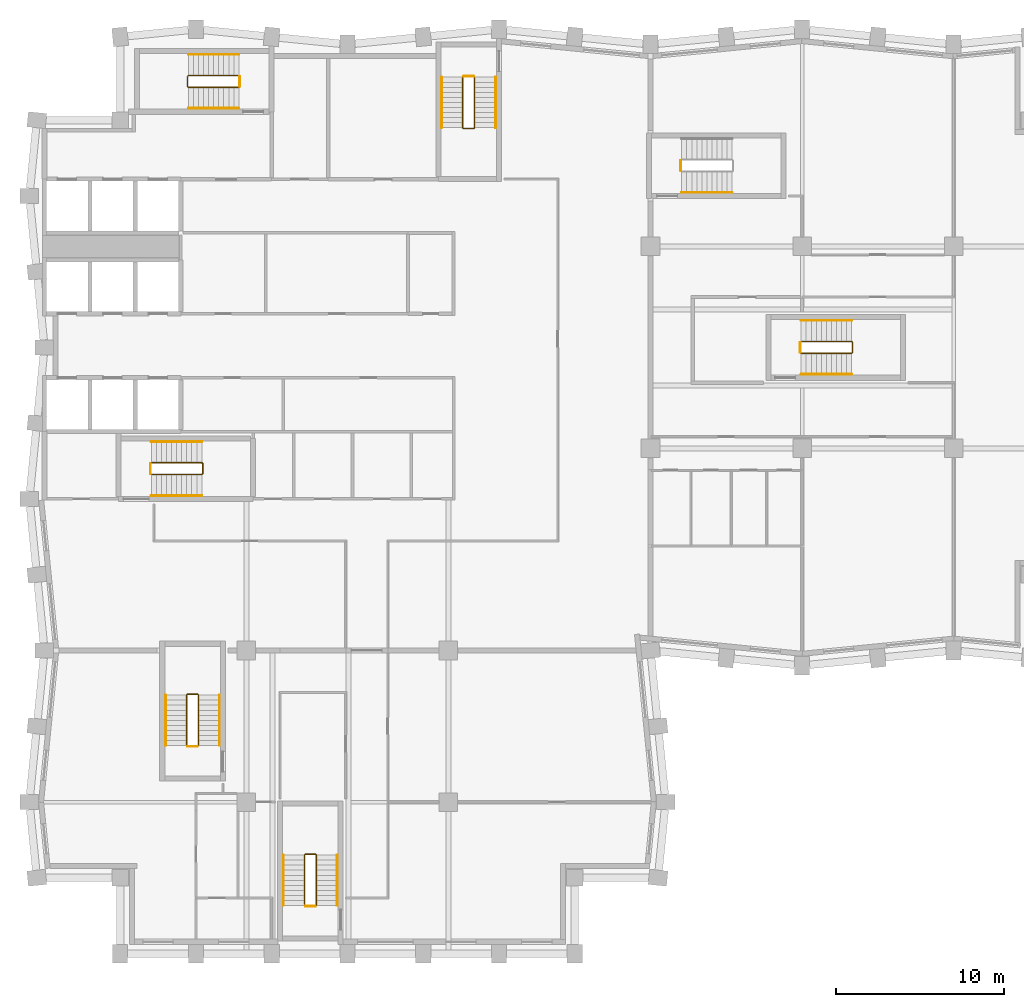
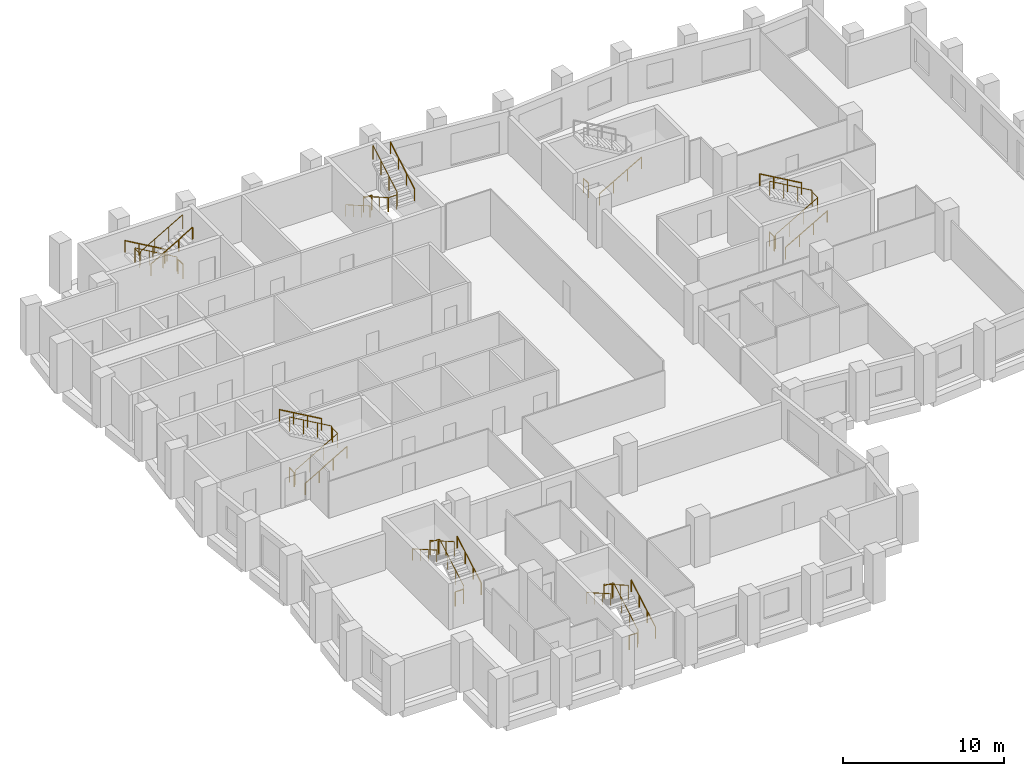
# One storey, part 9 of 10: 26 railings.
"""IFC4 building model written with IfcOpenShell, lengths in metres."""

import ifcopenshell
import ifcopenshell.guid

model = None  # the IFC model being written
_history = None  # IfcOwnerHistory: only IFC2X3 demands one
_inside = {}  # id of a spatial element -> (the spatial element, [elements in it])
_under = {}  # id of a project, library or spatial element -> (it, [spatial elements below it])
_declared = {}  # id of a project -> (the project, [libraries it declares])
_typed = {}  # id of a type object -> (the type object, [elements of that type])
_made_of = {}  # id of a material, layer set ... -> (it, [elements and type objects made of it])


def new_model(schema):
    """Start an empty IFC model of exactly this schema.

    Asked for "IFC4X3", IfcOpenShell would pick the latest addendum, in which some entities
    have other attributes; the version numbers below select the first issue.
    IFC2X3 requires an IfcOwnerHistory on every rooted entity: one is made here for all.
    """
    global model, _history
    if schema == "IFC4X3":
        model = ifcopenshell.file(schema_version=(4, 3, 0, 0))
    else:
        model = ifcopenshell.file(schema=schema)
    _inside.clear()
    _under.clear()
    _declared.clear()
    _typed.clear()
    _made_of.clear()
    _history = None
    if model.schema == "IFC2X3":
        org = make("IfcOrganization", Name="unknown")
        user = make(
            "IfcPersonAndOrganization",
            ThePerson=make("IfcPerson", FamilyName="unknown"),
            TheOrganization=org,
        )
        app = make(
            "IfcApplication",
            ApplicationDeveloper=org,
            Version="unknown",
            ApplicationFullName="unknown",
            ApplicationIdentifier="unknown",
        )
        _history = make(
            "IfcOwnerHistory",
            OwningUser=user,
            OwningApplication=app,
            ChangeAction="ADDED",
            CreationDate=0,
        )
    return model


def make(cls, **values):
    """One entity of the class cls with the attributes given. An attribute that is None is left unset."""
    return model.create_entity(
        cls, **{name: value for name, value in values.items() if value is not None}
    )


def rooted(cls, **values):
    """An entity with a GlobalId (a new one), such as an element, a storey or a relation."""
    return make(cls, GlobalId=ifcopenshell.guid.new(), OwnerHistory=_history, **values)


def si_unit(unit_type, name, prefix=None):
    """IfcSIUnit, for example si_unit("LENGTHUNIT", "METRE", prefix="MILLI")."""
    return make("IfcSIUnit", UnitType=unit_type, Prefix=prefix, Name=name)


def assignment(units):
    """IfcUnitAssignment: the units of a project."""
    return None if units is None else make("IfcUnitAssignment", Units=units)


def point(xyz):
    """IfcCartesianPoint."""
    return None if xyz is None else make("IfcCartesianPoint", Coordinates=xyz)


def direction(xyz):
    """IfcDirection."""
    return None if xyz is None else make("IfcDirection", DirectionRatios=xyz)


def frame(location, z_axis=None, x_axis=None):
    """IfcAxis2Placement3D, a coordinate frame: its origin and axes. An axis left out is left unset."""
    return make(
        "IfcAxis2Placement3D",
        Location=point(location),
        Axis=direction(z_axis),
        RefDirection=direction(x_axis),
    )


def frame_2d(location, x_axis=None):
    """IfcAxis2Placement2D, a coordinate frame in the plane: its origin and x axis."""
    return make(
        "IfcAxis2Placement2D", Location=point(location), RefDirection=direction(x_axis)
    )


def origin():
    """The frame at (0, 0, 0) with its axes left unset."""
    return frame((0.0, 0.0, 0.0))


def origin_2d():
    """The frame at (0, 0) in the plane with its x axis left unset."""
    return frame_2d((0.0, 0.0))


def place(relative_to, where):
    """IfcLocalPlacement: puts the frame where relative to a parent placement (None: the world)."""
    return make(
        "IfcLocalPlacement", PlacementRelTo=relative_to, RelativePlacement=where
    )


def context(
    kind, dimensions, precision=None, world=None, true_north=None, identifier=None
):
    """IfcGeometricRepresentationContext, for example the 3D "Model" context."""
    return make(
        "IfcGeometricRepresentationContext",
        ContextIdentifier=identifier,
        ContextType=kind,
        CoordinateSpaceDimension=dimensions,
        Precision=precision,
        WorldCoordinateSystem=world,
        TrueNorth=true_north,
    )


def subcontext(parent, identifier, kind, view, scale=None):
    """IfcGeometricRepresentationSubContext, for example "Body" below "Model"."""
    return make(
        "IfcGeometricRepresentationSubContext",
        ContextIdentifier=identifier,
        ContextType=kind,
        ParentContext=parent,
        TargetScale=scale,
        TargetView=view,
    )


def project(units=None, contexts=None):
    """IfcProject with its units and contexts."""
    return rooted(
        "IfcProject",
        Name="project",
        RepresentationContexts=contexts,
        UnitsInContext=assignment(units),
    )


def spatial(cls, under=None, at=None, **own):
    """A site, building, storey or space (cls), placed at a placement, below another one or the project."""
    s = rooted(cls, ObjectPlacement=at, **own)
    if under is not None:
        _under.setdefault(under.id(), (under, []))[1].append(s)
    return s


def profile(cls, at=None, kind="AREA", **sizes):
    """A parametric profile (cls). Its sizes go by their IFC names, for example OverallWidth=200.0."""
    return make(cls, ProfileType=kind, Position=at, **sizes)


def circle(**sizes):
    """IfcCircleProfileDef."""
    return profile("IfcCircleProfileDef", **sizes)


def extrude(swept, where, along, depth):
    """IfcExtrudedAreaSolid: the profile swept, set in the frame where, extruded along a direction by depth."""
    return make(
        "IfcExtrudedAreaSolid",
        SweptArea=swept,
        Position=where,
        ExtrudedDirection=direction(along),
        Depth=depth,
    )


def shape(context_of_items, identifier, shape_type, items):
    """IfcShapeRepresentation: the items that make up one representation, for example the "Body"."""
    return make(
        "IfcShapeRepresentation",
        ContextOfItems=context_of_items,
        RepresentationIdentifier=identifier,
        RepresentationType=shape_type,
        Items=items,
    )


def material(Name=None, Category=None):
    """IfcMaterial."""
    return make("IfcMaterial", Name=Name, Category=Category)


def made_of(thing, what):
    """Note that an element or type object is made of a material, layer set ...; save() writes the relation."""
    if what is not None:
        _made_of.setdefault(what.id(), (what, []))[1].append(thing)
    return thing


def type_object(cls, material=None, **own):
    """A type object (cls), such as IfcWallType, which elements share."""
    return made_of(rooted(cls, **own), material)


def element(
    cls,
    number,
    at=None,
    inside=None,
    cuts=None,
    type_object=None,
    material=None,
    context=None,
    identifier="Body",
    shape_type=None,
    held_by="IfcProductDefinitionShape",
    body=None,
    shapes=None,
    **own,
):
    """One element of the class cls, such as IfcWall. Its Tag is "e" and its number.

    at: its placement. inside: the storey or other place that contains it. cuts: it is an
    opening in that element (IfcRelVoidsElement). A single representation is given by context,
    identifier, shape_type and body (its items); several are given by shapes. held_by: the class
    of the entity that holds the representations. save() writes the other relations.
    """
    e = rooted(cls, Tag="e%d" % number, ObjectPlacement=at, **own)
    if body is not None:
        shapes = [shape(context, identifier, shape_type, body)]
    if shapes is not None:
        e.Representation = make(held_by, Representations=shapes)
    if inside is not None:
        _inside.setdefault(inside.id(), (inside, []))[1].append(e)
    if cuts is not None:
        rooted(
            "IfcRelVoidsElement", RelatingBuildingElement=cuts, RelatedOpeningElement=e
        )
    if type_object is not None:
        _typed.setdefault(type_object.id(), (type_object, []))[1].append(e)
    return made_of(e, material)


def aggregate(whole, parts):
    """IfcRelAggregates: a whole, such as a stair, and the parts it consists of."""
    return rooted("IfcRelAggregates", RelatingObject=whole, RelatedObjects=parts)


def save(model, path):
    """Write the relations noted so far, then the file.

    IfcRelAggregates (storeys below a building ...), IfcRelContainedInSpatialStructure (elements
    in a storey), IfcRelDefinesByType, IfcRelAssociatesMaterial and IfcRelDeclares: one each for
    every whole, place, type object, material and project.
    """
    for whole, parts in _under.values():
        aggregate(whole, parts)
    for where, things in _inside.values():
        rooted(
            "IfcRelContainedInSpatialStructure",
            RelatedElements=things,
            RelatingStructure=where,
        )
    for kind, things in _typed.values():
        rooted("IfcRelDefinesByType", RelatedObjects=things, RelatingType=kind)
    for what, things in _made_of.values():
        rooted("IfcRelAssociatesMaterial", RelatedObjects=things, RelatingMaterial=what)
    for by, libraries in _declared.values():
        rooted("IfcRelDeclares", RelatingContext=by, RelatedDefinitions=libraries)
    model.write(path)


model = new_model("IFC4")

# Units and contexts
model_context = context("Model", 3, precision=1e-05, world=origin(), true_north=direction((0.0, 1.0)))
body_context = subcontext(model_context, "Body", "Model", "MODEL_VIEW")
ifc_project = project(units=[si_unit("LENGTHUNIT", "METRE"), si_unit("AREAUNIT", "SQUARE_METRE"), si_unit("VOLUMEUNIT", "CUBIC_METRE"), si_unit("PLANEANGLEUNIT", "RADIAN"), si_unit("MASSUNIT", "GRAM", prefix="KILO")], contexts=[model_context])

# Site, building, storey
site_placement = place(None, origin())
site = spatial("IfcSite", under=ifc_project, at=site_placement, CompositionType="ELEMENT")
building_placement = place(site_placement, origin())
building = spatial("IfcBuilding", under=site, at=building_placement, Name="Brondeck Convention Tower", CompositionType="ELEMENT")
storey_placement = place(building_placement, frame((0.0, 0.0, 151.0)))
storey = spatial("IfcBuildingStorey", under=building, at=storey_placement, Name="L36", CompositionType="ELEMENT", Elevation=151.0)

# Railings
ifc_material = material(Name="Steel S355", Category="steel")
railing_type_1 = type_object("IfcRailingType", Name="Stair guard 1100", PredefinedType="GUARDRAIL", material=ifc_material)
railing_1_placement = place(storey_placement, frame((6.35009765625, 37.449951171875, 0.172607421875)))
element("IfcRailing", 1, at=railing_1_placement, inside=storey, type_object=railing_type_1, Name="L36 ST-1 stair guard 1", PredefinedType="GUARDRAIL", context=body_context, shape_type="SweptSolid", body=[
    extrude(circle(Radius=0.02392578125, at=origin_2d()), frame((0.0, 0.0, 1.076171875), z_axis=(0.866619684472, 0.0, 0.498969260062), x_axis=(0.0, 1.0, 0.0)), (0.0, 0.0, 1.0), 3.461669921875),
    extrude(circle(Radius=0.02392578125, at=origin_2d()), frame((3.0, 0.0, 2.80322265625), z_axis=(0.705375805398, 0.708833529934, 0.0), x_axis=(-0.708833529934, 0.705375805398, 0.0)), (0.0, 0.0, 1.0), 0.070556640625),
    extrude(circle(Radius=0.02392578125, at=origin_2d()), frame((3.0498046875, 0.050048828125, 2.80322265625), z_axis=(0.0, 1.0, 0.0), x_axis=(-1.0, 0.0, 0.0)), (0.0, 0.0, 1.0), 0.60009765625),
    extrude(circle(Radius=0.02392578125, at=origin_2d()), frame((3.0498046875, 0.650146484375, 2.80322265625), z_axis=(-0.266832911964, 0.266832911964, 0.926067165051), x_axis=(-0.707106781187, -0.707106781187, 0.0)), (0.0, 0.0, 1.0), 0.186767578125),
    extrude(circle(Radius=0.02392578125, at=origin_2d()), frame((3.0, 0.699951171875, 2.97607421875), z_axis=(-0.866619684472, 0.0, 0.498969260062), x_axis=(0.0, -1.0, 0.0)), (0.0, 0.0, 1.0), 3.461669921875),
    extrude(circle(Radius=0.02099609375, at=origin_2d()), origin(), (0.0, 0.0, 1.0), 1.052001953125),
    extrude(circle(Radius=0.02099609375, at=origin_2d()), frame((1.0, 0.0, 0.57568359375)), (0.0, 0.0, 1.0), 1.052001953125),
    extrude(circle(Radius=0.02099609375, at=origin_2d()), frame((2.0, 0.0, 1.151611328125)), (0.0, 0.0, 1.0), 1.052001953125),
    extrude(circle(Radius=0.02099609375, at=origin_2d()), frame((3.0, 0.0, 1.727294921875)), (0.0, 0.0, 1.0), 1.052001953125),
    extrude(circle(Radius=0.02099609375, at=origin_2d()), frame((3.0498046875, 0.050048828125, 1.727294921875)), (0.0, 0.0, 1.0), 1.052001953125),
    extrude(circle(Radius=0.02099609375, at=origin_2d()), frame((3.0498046875, 0.650146484375, 1.727294921875)), (0.0, 0.0, 1.0), 1.052001953125),
    extrude(circle(Radius=0.02099609375, at=origin_2d()), frame((3.0, 0.699951171875, 1.900146484375)), (0.0, 0.0, 1.0), 1.052001953125),
    extrude(circle(Radius=0.02099609375, at=origin_2d()), frame((2.0, 0.699951171875, 2.475830078125)), (0.0, 0.0, 1.0), 1.052001953125),
    extrude(circle(Radius=0.02099609375, at=origin_2d()), frame((1.0, 0.699951171875, 3.0517578125)), (0.0, 0.0, 1.0), 1.052001953125),
    extrude(circle(Radius=0.02099609375, at=origin_2d()), frame((0.0, 0.699951171875, 3.62744140625)), (0.0, 0.0, 1.0), 1.052001953125),
])
railing_2_placement = place(storey_placement, frame((6.300048828125, 37.5, 0.0)))
element("IfcRailing", 2, at=railing_2_placement, inside=storey, type_object=railing_type_1, Name="L36 ST-1 stair guard 2", PredefinedType="GUARDRAIL", context=body_context, shape_type="SweptSolid", body=[
    extrude(circle(Radius=0.02392578125, at=origin_2d()), frame((0.0, 0.0, 1.076171875), z_axis=(0.0, 1.0, 0.0), x_axis=(-1.0, 0.0, 0.0)), (0.0, 0.0, 1.0), 0.60009765625),
    extrude(circle(Radius=0.02099609375, at=origin_2d()), origin(), (0.0, 0.0, 1.0), 1.052001953125),
    extrude(circle(Radius=0.02099609375, at=origin_2d()), frame((0.0, 0.60009765625, 0.0)), (0.0, 0.0, 1.0), 1.052001953125),
])
railing_3_placement = place(storey_placement, frame((24.85009765625, 61.050048828125, 0.172607421875)))
element("IfcRailing", 3, at=railing_3_placement, inside=storey, type_object=railing_type_1, Name="L36 ST-2 stair guard 1", PredefinedType="GUARDRAIL", context=body_context, shape_type="SweptSolid", body=[
    extrude(circle(Radius=0.02392578125, at=origin_2d()), frame((0.0, 0.0, 1.076171875), z_axis=(0.0, -0.866619684472, 0.498969260062), x_axis=(1.0, 0.0, 0.0)), (0.0, 0.0, 1.0), 3.461669921875),
    extrude(circle(Radius=0.02392578125, at=origin_2d()), frame((0.0, -3.0, 2.80322265625), z_axis=(0.705375805398, -0.708833529934, 0.0), x_axis=(0.708833529934, 0.705375805398, 0.0)), (0.0, 0.0, 1.0), 0.070556640625),
    extrude(circle(Radius=0.02392578125, at=origin_2d()), frame((0.0498046875, -3.050048828125, 2.80322265625), z_axis=(1.0, 0.0, 0.0), x_axis=(0.0, 1.0, 0.0)), (0.0, 0.0, 1.0), 0.60009765625),
    extrude(circle(Radius=0.02392578125, at=origin_2d()), frame((0.64990234375, -3.050048828125, 2.80322265625), z_axis=(0.267953482034, 0.267953482034, 0.925419830635), x_axis=(-0.707106781187, 0.707106781187, 0.0)), (0.0, 0.0, 1.0), 0.186767578125),
    extrude(circle(Radius=0.02392578125, at=origin_2d()), frame((0.699951171875, -3.0, 2.97607421875), z_axis=(0.0, 0.866619684472, 0.498969260062), x_axis=(-1.0, 0.0, 0.0)), (0.0, 0.0, 1.0), 3.461669921875),
    extrude(circle(Radius=0.02099609375, at=origin_2d()), origin(), (0.0, 0.0, 1.0), 1.052001953125),
    extrude(circle(Radius=0.02099609375, at=origin_2d()), frame((0.0, -1.0, 0.57568359375)), (0.0, 0.0, 1.0), 1.052001953125),
    extrude(circle(Radius=0.02099609375, at=origin_2d()), frame((0.0, -2.0, 1.151611328125)), (0.0, 0.0, 1.0), 1.052001953125),
    extrude(circle(Radius=0.02099609375, at=origin_2d()), frame((0.0, -3.0, 1.727294921875)), (0.0, 0.0, 1.0), 1.052001953125),
    extrude(circle(Radius=0.02099609375, at=origin_2d()), frame((0.0498046875, -3.050048828125, 1.727294921875)), (0.0, 0.0, 1.0), 1.052001953125),
    extrude(circle(Radius=0.02099609375, at=origin_2d()), frame((0.64990234375, -3.050048828125, 1.727294921875)), (0.0, 0.0, 1.0), 1.052001953125),
    extrude(circle(Radius=0.02099609375, at=origin_2d()), frame((0.699951171875, -3.0, 1.900146484375)), (0.0, 0.0, 1.0), 1.052001953125),
    extrude(circle(Radius=0.02099609375, at=origin_2d()), frame((0.699951171875, -2.0, 2.475830078125)), (0.0, 0.0, 1.0), 1.052001953125),
    extrude(circle(Radius=0.02099609375, at=origin_2d()), frame((0.699951171875, -1.0, 3.0517578125)), (0.0, 0.0, 1.0), 1.052001953125),
    extrude(circle(Radius=0.02099609375, at=origin_2d()), frame((0.699951171875, 0.0, 3.62744140625)), (0.0, 0.0, 1.0), 1.052001953125),
])
railing_4_placement = place(storey_placement, frame((24.89990234375, 61.10009765625, 0.0)))
element("IfcRailing", 4, at=railing_4_placement, inside=storey, type_object=railing_type_1, Name="L36 ST-2 stair guard 2", PredefinedType="GUARDRAIL", context=body_context, shape_type="SweptSolid", body=[
    extrude(circle(Radius=0.02392578125, at=origin_2d()), frame((0.0, 0.0, 1.076171875), z_axis=(1.0, 0.0, 0.0), x_axis=(0.0, 1.0, 0.0)), (0.0, 0.0, 1.0), 0.60009765625),
    extrude(circle(Radius=0.02099609375, at=origin_2d()), origin(), (0.0, 0.0, 1.0), 1.052001953125),
    extrude(circle(Radius=0.02099609375, at=origin_2d()), frame((0.60009765625, 0.0, 0.0)), (0.0, 0.0, 1.0), 1.052001953125),
])
railing_5_placement = place(storey_placement, frame((11.550048828125, 61.14990234375, 0.172607421875)))
element("IfcRailing", 5, at=railing_5_placement, inside=storey, type_object=railing_type_1, Name="L36 ST-3 stair guard 1", PredefinedType="GUARDRAIL", context=body_context, shape_type="SweptSolid", body=[
    extrude(circle(Radius=0.02392578125, at=origin_2d()), frame((0.0, 0.0, 1.076171875), z_axis=(-0.866619684472, 0.0, 0.498969260062), x_axis=(0.0, -1.0, 0.0)), (0.0, 0.0, 1.0), 3.461669921875),
    extrude(circle(Radius=0.02392578125, at=origin_2d()), frame((-3.0, 0.0, 2.80322265625), z_axis=(-0.708833529934, -0.705375805398, 0.0), x_axis=(0.705375805398, -0.708833529934, 0.0)), (0.0, 0.0, 1.0), 0.070556640625),
    extrude(circle(Radius=0.02392578125, at=origin_2d()), frame((-3.050048828125, -0.0498046875, 2.80322265625), z_axis=(0.0, -1.0, 0.0), x_axis=(1.0, 0.0, 0.0)), (0.0, 0.0, 1.0), 0.60009765625),
    extrude(circle(Radius=0.02392578125, at=origin_2d()), frame((-3.050048828125, -0.64990234375, 2.80322265625), z_axis=(0.267953482034, -0.267953482034, 0.925419830635), x_axis=(0.707106781187, 0.707106781187, 0.0)), (0.0, 0.0, 1.0), 0.186767578125),
    extrude(circle(Radius=0.02392578125, at=origin_2d()), frame((-3.0, -0.699951171875, 2.97607421875), z_axis=(0.866619684472, 0.0, 0.498969260062), x_axis=(0.0, 1.0, 0.0)), (0.0, 0.0, 1.0), 3.461669921875),
    extrude(circle(Radius=0.02099609375, at=origin_2d()), origin(), (0.0, 0.0, 1.0), 1.052001953125),
    extrude(circle(Radius=0.02099609375, at=origin_2d()), frame((-1.0, 0.0, 0.57568359375)), (0.0, 0.0, 1.0), 1.052001953125),
    extrude(circle(Radius=0.02099609375, at=origin_2d()), frame((-2.0, 0.0, 1.151611328125)), (0.0, 0.0, 1.0), 1.052001953125),
    extrude(circle(Radius=0.02099609375, at=origin_2d()), frame((-3.0, 0.0, 1.727294921875)), (0.0, 0.0, 1.0), 1.052001953125),
    extrude(circle(Radius=0.02099609375, at=origin_2d()), frame((-3.050048828125, -0.0498046875, 1.727294921875)), (0.0, 0.0, 1.0), 1.052001953125),
    extrude(circle(Radius=0.02099609375, at=origin_2d()), frame((-3.050048828125, -0.64990234375, 1.727294921875)), (0.0, 0.0, 1.0), 1.052001953125),
    extrude(circle(Radius=0.02099609375, at=origin_2d()), frame((-3.0, -0.699951171875, 1.900146484375)), (0.0, 0.0, 1.0), 1.052001953125),
    extrude(circle(Radius=0.02099609375, at=origin_2d()), frame((-2.0, -0.699951171875, 2.475830078125)), (0.0, 0.0, 1.0), 1.052001953125),
    extrude(circle(Radius=0.02099609375, at=origin_2d()), frame((-1.0, -0.699951171875, 3.0517578125)), (0.0, 0.0, 1.0), 1.052001953125),
    extrude(circle(Radius=0.02099609375, at=origin_2d()), frame((0.0, -0.699951171875, 3.62744140625)), (0.0, 0.0, 1.0), 1.052001953125),
])
railing_6_placement = place(storey_placement, frame((11.60009765625, 61.10009765625, 0.0)))
element("IfcRailing", 6, at=railing_6_placement, inside=storey, type_object=railing_type_1, Name="L36 ST-3 stair guard 2", PredefinedType="GUARDRAIL", context=body_context, shape_type="SweptSolid", body=[
    extrude(circle(Radius=0.02392578125, at=origin_2d()), frame((0.0, 0.0, 1.076171875), z_axis=(0.0, -1.0, 0.0), x_axis=(1.0, 0.0, 0.0)), (0.0, 0.0, 1.0), 0.60009765625),
    extrude(circle(Radius=0.02099609375, at=origin_2d()), origin(), (0.0, 0.0, 1.0), 1.052001953125),
    extrude(circle(Radius=0.02099609375, at=origin_2d()), frame((0.0, -0.60009765625, 0.0)), (0.0, 0.0, 1.0), 1.052001953125),
])
railing_7_placement = place(storey_placement, frame((37.800048828125, 55.5, 0.0)))
element("IfcRailing", 7, at=railing_7_placement, inside=storey, type_object=railing_type_1, Name="L36 ST-AE stair guard 2", PredefinedType="GUARDRAIL", context=body_context, shape_type="SweptSolid", body=[
    extrude(circle(Radius=0.02392578125, at=origin_2d()), frame((0.0, 0.0, 1.076171875), z_axis=(0.0, 1.0, 0.0), x_axis=(-1.0, 0.0, 0.0)), (0.0, 0.0, 1.0), 0.60009765625),
    extrude(circle(Radius=0.02099609375, at=origin_2d()), origin(), (0.0, 0.0, 1.0), 1.052001953125),
    extrude(circle(Radius=0.02099609375, at=origin_2d()), frame((0.0, 0.60009765625, 0.0)), (0.0, 0.0, 1.0), 1.052001953125),
])
railing_8_placement = place(storey_placement, frame((9.14990234375, 21.35009765625, 0.172607421875)))
element("IfcRailing", 8, at=railing_8_placement, inside=storey, type_object=railing_type_1, Name="L36 ST-BE stair guard 1", PredefinedType="GUARDRAIL", context=body_context, shape_type="SweptSolid", body=[
    extrude(circle(Radius=0.02392578125, at=origin_2d()), frame((0.0, 0.0, 1.076171875), z_axis=(0.0, 0.866619684472, 0.498969260062), x_axis=(-1.0, 0.0, 0.0)), (0.0, 0.0, 1.0), 3.461669921875),
    extrude(circle(Radius=0.02392578125, at=origin_2d()), frame((0.0, 3.0, 2.80322265625), z_axis=(-0.707106781187, 0.707106781187, 0.0), x_axis=(-0.707106781187, -0.707106781187, 0.0)), (0.0, 0.0, 1.0), 0.0703125),
    extrude(circle(Radius=0.02392578125, at=origin_2d()), frame((-0.0498046875, 3.0498046875, 2.80322265625), z_axis=(-1.0, 0.0, 0.0), x_axis=(0.0, -1.0, 0.0)), (0.0, 0.0, 1.0), 0.60009765625),
    extrude(circle(Radius=0.02392578125, at=origin_2d()), frame((-0.64990234375, 3.0498046875, 2.80322265625), z_axis=(-0.268047150085, -0.266739603011, 0.925743328097), x_axis=(0.705375805398, -0.708833529934, 0.0)), (0.0, 0.0, 1.0), 0.186767578125),
    extrude(circle(Radius=0.02392578125, at=origin_2d()), frame((-0.699951171875, 3.0, 2.97607421875), z_axis=(0.0, -0.866619684472, 0.498969260062), x_axis=(1.0, 0.0, 0.0)), (0.0, 0.0, 1.0), 3.461669921875),
    extrude(circle(Radius=0.02099609375, at=origin_2d()), origin(), (0.0, 0.0, 1.0), 1.052001953125),
    extrude(circle(Radius=0.02099609375, at=origin_2d()), frame((0.0, 1.0, 0.57568359375)), (0.0, 0.0, 1.0), 1.052001953125),
    extrude(circle(Radius=0.02099609375, at=origin_2d()), frame((0.0, 2.0, 1.151611328125)), (0.0, 0.0, 1.0), 1.052001953125),
    extrude(circle(Radius=0.02099609375, at=origin_2d()), frame((0.0, 3.0, 1.727294921875)), (0.0, 0.0, 1.0), 1.052001953125),
    extrude(circle(Radius=0.02099609375, at=origin_2d()), frame((-0.0498046875, 3.0498046875, 1.727294921875)), (0.0, 0.0, 1.0), 1.052001953125),
    extrude(circle(Radius=0.02099609375, at=origin_2d()), frame((-0.64990234375, 3.0498046875, 1.727294921875)), (0.0, 0.0, 1.0), 1.052001953125),
    extrude(circle(Radius=0.02099609375, at=origin_2d()), frame((-0.699951171875, 3.0, 1.900146484375)), (0.0, 0.0, 1.0), 1.052001953125),
    extrude(circle(Radius=0.02099609375, at=origin_2d()), frame((-0.699951171875, 2.0, 2.475830078125)), (0.0, 0.0, 1.0), 1.052001953125),
    extrude(circle(Radius=0.02099609375, at=origin_2d()), frame((-0.699951171875, 1.0, 3.0517578125)), (0.0, 0.0, 1.0), 1.052001953125),
    extrude(circle(Radius=0.02099609375, at=origin_2d()), frame((-0.699951171875, 0.0, 3.62744140625)), (0.0, 0.0, 1.0), 1.052001953125),
])
railing_9_placement = place(storey_placement, frame((9.10009765625, 21.300048828125, 0.0)))
element("IfcRailing", 9, at=railing_9_placement, inside=storey, type_object=railing_type_1, Name="L36 ST-BE stair guard 2", PredefinedType="GUARDRAIL", context=body_context, shape_type="SweptSolid", body=[
    extrude(circle(Radius=0.02392578125, at=origin_2d()), frame((0.0, 0.0, 1.076171875), z_axis=(-1.0, 0.0, 0.0), x_axis=(0.0, -1.0, 0.0)), (0.0, 0.0, 1.0), 0.60009765625),
    extrude(circle(Radius=0.02099609375, at=origin_2d()), origin(), (0.0, 0.0, 1.0), 1.052001953125),
    extrude(circle(Radius=0.02099609375, at=origin_2d()), frame((-0.60009765625, 0.0, 0.0)), (0.0, 0.0, 1.0), 1.052001953125),
])
railing_10_placement = place(storey_placement, frame((44.949951171875, 44.64990234375, 0.172607421875)))
element("IfcRailing", 10, at=railing_10_placement, inside=storey, type_object=railing_type_1, Name="L36 ST-AF stair guard 1", PredefinedType="GUARDRAIL", context=body_context, shape_type="SweptSolid", body=[
    extrude(circle(Radius=0.02392578125, at=origin_2d()), frame((0.0, 0.0, 1.076171875), z_axis=(0.866619684472, 0.0, 0.498969260062), x_axis=(0.0, 1.0, 0.0)), (0.0, 0.0, 1.0), 3.461669921875),
    extrude(circle(Radius=0.02392578125, at=origin_2d()), frame((3.0, 0.0, 2.80322265625), z_axis=(0.707106781187, 0.707106781187, 0.0), x_axis=(-0.707106781187, 0.707106781187, 0.0)), (0.0, 0.0, 1.0), 0.07080078125),
    extrude(circle(Radius=0.02392578125, at=origin_2d()), frame((3.050048828125, 0.050048828125, 2.80322265625), z_axis=(0.0, 1.0, 0.0), x_axis=(-1.0, 0.0, 0.0)), (0.0, 0.0, 1.0), 0.60009765625),
    extrude(circle(Radius=0.02392578125, at=origin_2d()), frame((3.050048828125, 0.650146484375, 2.80322265625), z_axis=(-0.267953482034, 0.267953482034, 0.925419830635), x_axis=(-0.707106781187, -0.707106781187, 0.0)), (0.0, 0.0, 1.0), 0.186767578125),
    extrude(circle(Radius=0.02392578125, at=origin_2d()), frame((3.0, 0.7001953125, 2.97607421875), z_axis=(-0.866619684472, 0.0, 0.498969260062), x_axis=(0.0, -1.0, 0.0)), (0.0, 0.0, 1.0), 3.461669921875),
    extrude(circle(Radius=0.02099609375, at=origin_2d()), origin(), (0.0, 0.0, 1.0), 1.052001953125),
    extrude(circle(Radius=0.02099609375, at=origin_2d()), frame((1.0, 0.0, 0.57568359375)), (0.0, 0.0, 1.0), 1.052001953125),
    extrude(circle(Radius=0.02099609375, at=origin_2d()), frame((2.0, 0.0, 1.151611328125)), (0.0, 0.0, 1.0), 1.052001953125),
    extrude(circle(Radius=0.02099609375, at=origin_2d()), frame((3.0, 0.0, 1.727294921875)), (0.0, 0.0, 1.0), 1.052001953125),
    extrude(circle(Radius=0.02099609375, at=origin_2d()), frame((3.050048828125, 0.050048828125, 1.727294921875)), (0.0, 0.0, 1.0), 1.052001953125),
    extrude(circle(Radius=0.02099609375, at=origin_2d()), frame((3.050048828125, 0.650146484375, 1.727294921875)), (0.0, 0.0, 1.0), 1.052001953125),
    extrude(circle(Radius=0.02099609375, at=origin_2d()), frame((3.0, 0.7001953125, 1.900146484375)), (0.0, 0.0, 1.0), 1.052001953125),
    extrude(circle(Radius=0.02099609375, at=origin_2d()), frame((2.0, 0.7001953125, 2.475830078125)), (0.0, 0.0, 1.0), 1.052001953125),
    extrude(circle(Radius=0.02099609375, at=origin_2d()), frame((1.0, 0.7001953125, 3.0517578125)), (0.0, 0.0, 1.0), 1.052001953125),
    extrude(circle(Radius=0.02099609375, at=origin_2d()), frame((0.0, 0.7001953125, 3.62744140625)), (0.0, 0.0, 1.0), 1.052001953125),
])
railing_11_placement = place(storey_placement, frame((44.89990234375, 44.699951171875, 0.0)))
element("IfcRailing", 11, at=railing_11_placement, inside=storey, type_object=railing_type_1, Name="L36 ST-AF stair guard 2", PredefinedType="GUARDRAIL", context=body_context, shape_type="SweptSolid", body=[
    extrude(circle(Radius=0.02392578125, at=origin_2d()), frame((0.0, 0.0, 1.076171875), z_axis=(0.0, 1.0, 0.0), x_axis=(-1.0, 0.0, 0.0)), (0.0, 0.0, 1.0), 0.60009765625),
    extrude(circle(Radius=0.02099609375, at=origin_2d()), origin(), (0.0, 0.0, 1.0), 1.052001953125),
    extrude(circle(Radius=0.02099609375, at=origin_2d()), frame((0.0, 0.60009765625, 0.0)), (0.0, 0.0, 1.0), 1.052001953125),
])
railing_12_placement = place(storey_placement, frame((16.14990234375, 11.85009765625, 0.172607421875)))
element("IfcRailing", 12, at=railing_12_placement, inside=storey, type_object=railing_type_1, Name="L36 ST-BF stair guard 1", PredefinedType="GUARDRAIL", context=body_context, shape_type="SweptSolid", body=[
    extrude(circle(Radius=0.02392578125, at=origin_2d()), frame((0.0, 0.0, 1.076171875), z_axis=(0.0, 0.866619684472, 0.498969260062), x_axis=(-1.0, 0.0, 0.0)), (0.0, 0.0, 1.0), 3.461669921875),
    extrude(circle(Radius=0.02392578125, at=origin_2d()), frame((0.0, 3.0, 2.80322265625), z_axis=(-0.707106781187, 0.707106781187, 0.0), x_axis=(-0.707106781187, -0.707106781187, 0.0)), (0.0, 0.0, 1.0), 0.0703125),
    extrude(circle(Radius=0.02392578125, at=origin_2d()), frame((-0.0498046875, 3.0498046875, 2.80322265625), z_axis=(-1.0, 0.0, 0.0), x_axis=(0.0, -1.0, 0.0)), (0.0, 0.0, 1.0), 0.60009765625),
    extrude(circle(Radius=0.02392578125, at=origin_2d()), frame((-0.64990234375, 3.0498046875, 2.80322265625), z_axis=(-0.268047150085, -0.266739603011, 0.925743328097), x_axis=(0.705375805398, -0.708833529934, 0.0)), (0.0, 0.0, 1.0), 0.186767578125),
    extrude(circle(Radius=0.02392578125, at=origin_2d()), frame((-0.699951171875, 3.0, 2.97607421875), z_axis=(0.0, -0.866619684472, 0.498969260062), x_axis=(1.0, 0.0, 0.0)), (0.0, 0.0, 1.0), 3.461669921875),
    extrude(circle(Radius=0.02099609375, at=origin_2d()), origin(), (0.0, 0.0, 1.0), 1.052001953125),
    extrude(circle(Radius=0.02099609375, at=origin_2d()), frame((0.0, 1.0, 0.57568359375)), (0.0, 0.0, 1.0), 1.052001953125),
    extrude(circle(Radius=0.02099609375, at=origin_2d()), frame((0.0, 2.0, 1.151611328125)), (0.0, 0.0, 1.0), 1.052001953125),
    extrude(circle(Radius=0.02099609375, at=origin_2d()), frame((0.0, 3.0, 1.727294921875)), (0.0, 0.0, 1.0), 1.052001953125),
    extrude(circle(Radius=0.02099609375, at=origin_2d()), frame((-0.0498046875, 3.0498046875, 1.727294921875)), (0.0, 0.0, 1.0), 1.052001953125),
    extrude(circle(Radius=0.02099609375, at=origin_2d()), frame((-0.64990234375, 3.0498046875, 1.727294921875)), (0.0, 0.0, 1.0), 1.052001953125),
    extrude(circle(Radius=0.02099609375, at=origin_2d()), frame((-0.699951171875, 3.0, 1.900146484375)), (0.0, 0.0, 1.0), 1.052001953125),
    extrude(circle(Radius=0.02099609375, at=origin_2d()), frame((-0.699951171875, 2.0, 2.475830078125)), (0.0, 0.0, 1.0), 1.052001953125),
    extrude(circle(Radius=0.02099609375, at=origin_2d()), frame((-0.699951171875, 1.0, 3.0517578125)), (0.0, 0.0, 1.0), 1.052001953125),
    extrude(circle(Radius=0.02099609375, at=origin_2d()), frame((-0.699951171875, 0.0, 3.62744140625)), (0.0, 0.0, 1.0), 1.052001953125),
])
railing_13_placement = place(storey_placement, frame((16.10009765625, 11.800048828125, 0.0)))
element("IfcRailing", 13, at=railing_13_placement, inside=storey, type_object=railing_type_1, Name="L36 ST-BF stair guard 2", PredefinedType="GUARDRAIL", context=body_context, shape_type="SweptSolid", body=[
    extrude(circle(Radius=0.02392578125, at=origin_2d()), frame((0.0, 0.0, 1.076171875), z_axis=(-1.0, 0.0, 0.0), x_axis=(0.0, -1.0, 0.0)), (0.0, 0.0, 1.0), 0.60009765625),
    extrude(circle(Radius=0.02099609375, at=origin_2d()), origin(), (0.0, 0.0, 1.0), 1.052001953125),
    extrude(circle(Radius=0.02099609375, at=origin_2d()), frame((-0.60009765625, 0.0, 0.0)), (0.0, 0.0, 1.0), 1.052001953125),
])
railing_type_2 = type_object("IfcRailingType", Name="Stair handrail", PredefinedType="HANDRAIL", material=ifc_material)
railing_14_placement = place(storey_placement, frame((6.35009765625, 36.199951171875, 0.172607421875)))
element("IfcRailing", 14, at=railing_14_placement, inside=storey, type_object=railing_type_2, Name="L36 ST-1 stair handrail 1", PredefinedType="HANDRAIL", context=body_context, shape_type="SweptSolid", body=[
    extrude(circle(Radius=0.02392578125, at=origin_2d()), frame((0.0, 0.0, 0.8759765625), z_axis=(0.866619684472, 0.0, 0.498969260062), x_axis=(0.0, 1.0, 0.0)), (0.0, 0.0, 1.0), 3.461669921875),
    extrude(circle(Radius=0.02099609375, at=origin_2d()), origin(), (0.0, 0.0, 1.0), 0.851806640625),
    extrude(circle(Radius=0.02099609375, at=origin_2d()), frame((1.0, 0.0, 0.57568359375)), (0.0, 0.0, 1.0), 0.851806640625),
    extrude(circle(Radius=0.02099609375, at=origin_2d()), frame((2.0, 0.0, 1.151611328125)), (0.0, 0.0, 1.0), 0.851806640625),
    extrude(circle(Radius=0.02099609375, at=origin_2d()), frame((3.0, 0.0, 1.727294921875)), (0.0, 0.0, 1.0), 0.851806640625),
])
railing_15_placement = place(storey_placement, frame((9.35009765625, 39.39990234375, 2.07275390625)))
element("IfcRailing", 15, at=railing_15_placement, inside=storey, type_object=railing_type_2, Name="L36 ST-1 stair handrail 2", PredefinedType="HANDRAIL", context=body_context, shape_type="SweptSolid", body=[
    extrude(circle(Radius=0.02392578125, at=origin_2d()), frame((0.0, 0.0, 0.8759765625), z_axis=(-0.866619684472, 0.0, 0.498969260062), x_axis=(0.0, -1.0, 0.0)), (0.0, 0.0, 1.0), 3.461669921875),
    extrude(circle(Radius=0.02099609375, at=origin_2d()), origin(), (0.0, 0.0, 1.0), 0.851806640625),
    extrude(circle(Radius=0.02099609375, at=origin_2d()), frame((-1.0, 0.0, 0.57568359375)), (0.0, 0.0, 1.0), 0.851806640625),
    extrude(circle(Radius=0.02099609375, at=origin_2d()), frame((-2.0, 0.0, 1.151611328125)), (0.0, 0.0, 1.0), 0.851806640625),
    extrude(circle(Radius=0.02099609375, at=origin_2d()), frame((-3.0, 0.0, 1.727294921875)), (0.0, 0.0, 1.0), 0.851806640625),
])
railing_16_placement = place(storey_placement, frame((23.60009765625, 61.050048828125, 0.172607421875)))
element("IfcRailing", 16, at=railing_16_placement, inside=storey, type_object=railing_type_2, Name="L36 ST-2 stair handrail 1", PredefinedType="HANDRAIL", context=body_context, shape_type="SweptSolid", body=[
    extrude(circle(Radius=0.02392578125, at=origin_2d()), frame((0.0, 0.0, 0.8759765625), z_axis=(0.0, -0.866619684472, 0.498969260062), x_axis=(1.0, 0.0, 0.0)), (0.0, 0.0, 1.0), 3.461669921875),
    extrude(circle(Radius=0.02099609375, at=origin_2d()), origin(), (0.0, 0.0, 1.0), 0.851806640625),
    extrude(circle(Radius=0.02099609375, at=origin_2d()), frame((0.0, -1.0, 0.57568359375)), (0.0, 0.0, 1.0), 0.851806640625),
    extrude(circle(Radius=0.02099609375, at=origin_2d()), frame((0.0, -2.0, 1.151611328125)), (0.0, 0.0, 1.0), 0.851806640625),
    extrude(circle(Radius=0.02099609375, at=origin_2d()), frame((0.0, -3.0, 1.727294921875)), (0.0, 0.0, 1.0), 0.851806640625),
])
railing_17_placement = place(storey_placement, frame((26.800048828125, 58.050048828125, 2.07275390625)))
element("IfcRailing", 17, at=railing_17_placement, inside=storey, type_object=railing_type_2, Name="L36 ST-2 stair handrail 2", PredefinedType="HANDRAIL", context=body_context, shape_type="SweptSolid", body=[
    extrude(circle(Radius=0.02392578125, at=origin_2d()), frame((0.0, 0.0, 0.8759765625), z_axis=(0.0, 0.866619684472, 0.498969260062), x_axis=(-1.0, 0.0, 0.0)), (0.0, 0.0, 1.0), 3.461669921875),
    extrude(circle(Radius=0.02099609375, at=origin_2d()), origin(), (0.0, 0.0, 1.0), 0.851806640625),
    extrude(circle(Radius=0.02099609375, at=origin_2d()), frame((0.0, 1.0, 0.57568359375)), (0.0, 0.0, 1.0), 0.851806640625),
    extrude(circle(Radius=0.02099609375, at=origin_2d()), frame((0.0, 2.0, 1.151611328125)), (0.0, 0.0, 1.0), 0.851806640625),
    extrude(circle(Radius=0.02099609375, at=origin_2d()), frame((0.0, 3.0, 1.727294921875)), (0.0, 0.0, 1.0), 0.851806640625),
])
railing_18_placement = place(storey_placement, frame((11.550048828125, 62.39990234375, 0.172607421875)))
element("IfcRailing", 18, at=railing_18_placement, inside=storey, type_object=railing_type_2, Name="L36 ST-3 stair handrail 1", PredefinedType="HANDRAIL", context=body_context, shape_type="SweptSolid", body=[
    extrude(circle(Radius=0.02392578125, at=origin_2d()), frame((0.0, 0.0, 0.8759765625), z_axis=(-0.866619684472, 0.0, 0.498969260062), x_axis=(0.0, -1.0, 0.0)), (0.0, 0.0, 1.0), 3.461669921875),
    extrude(circle(Radius=0.02099609375, at=origin_2d()), origin(), (0.0, 0.0, 1.0), 0.851806640625),
    extrude(circle(Radius=0.02099609375, at=origin_2d()), frame((-1.0, 0.0, 0.57568359375)), (0.0, 0.0, 1.0), 0.851806640625),
    extrude(circle(Radius=0.02099609375, at=origin_2d()), frame((-2.0, 0.0, 1.151611328125)), (0.0, 0.0, 1.0), 0.851806640625),
    extrude(circle(Radius=0.02099609375, at=origin_2d()), frame((-3.0, 0.0, 1.727294921875)), (0.0, 0.0, 1.0), 0.851806640625),
])
for number, where, name in (
    (19, (8.550048828125, 59.199951171875, 2.07275390625), "L36 ST-3 stair handrail 2"),
    (20, (37.85009765625, 54.199951171875, 0.172607421875), "L36 ST-AE stair handrail 1"),
):
    element("IfcRailing", number, at=place(storey_placement, frame(where)), inside=storey, type_object=railing_type_2, Name=name, PredefinedType="HANDRAIL", context=body_context, shape_type="SweptSolid", body=[
        extrude(circle(Radius=0.02392578125, at=origin_2d()), frame((0.0, 0.0, 0.8759765625), z_axis=(0.866619684472, 0.0, 0.498969260062), x_axis=(0.0, 1.0, 0.0)), (0.0, 0.0, 1.0), 3.461669921875),
        extrude(circle(Radius=0.02099609375, at=origin_2d()), origin(), (0.0, 0.0, 1.0), 0.851806640625),
        extrude(circle(Radius=0.02099609375, at=origin_2d()), frame((1.0, 0.0, 0.57568359375)), (0.0, 0.0, 1.0), 0.851806640625),
        extrude(circle(Radius=0.02099609375, at=origin_2d()), frame((2.0, 0.0, 1.151611328125)), (0.0, 0.0, 1.0), 0.851806640625),
        extrude(circle(Radius=0.02099609375, at=origin_2d()), frame((3.0, 0.0, 1.727294921875)), (0.0, 0.0, 1.0), 0.851806640625),
    ])
railing_19_placement = place(storey_placement, frame((10.39990234375, 21.35009765625, 0.172607421875)))
element("IfcRailing", 21, at=railing_19_placement, inside=storey, type_object=railing_type_2, Name="L36 ST-BE stair handrail 1", PredefinedType="HANDRAIL", context=body_context, shape_type="SweptSolid", body=[
    extrude(circle(Radius=0.02392578125, at=origin_2d()), frame((0.0, 0.0, 0.8759765625), z_axis=(0.0, 0.866619684472, 0.498969260062), x_axis=(-1.0, 0.0, 0.0)), (0.0, 0.0, 1.0), 3.461669921875),
    extrude(circle(Radius=0.02099609375, at=origin_2d()), origin(), (0.0, 0.0, 1.0), 0.851806640625),
    extrude(circle(Radius=0.02099609375, at=origin_2d()), frame((0.0, 1.0, 0.57568359375)), (0.0, 0.0, 1.0), 0.851806640625),
    extrude(circle(Radius=0.02099609375, at=origin_2d()), frame((0.0, 2.0, 1.151611328125)), (0.0, 0.0, 1.0), 0.851806640625),
    extrude(circle(Radius=0.02099609375, at=origin_2d()), frame((0.0, 3.0, 1.727294921875)), (0.0, 0.0, 1.0), 0.851806640625),
])
railing_20_placement = place(storey_placement, frame((7.199951171875, 24.35009765625, 2.07275390625)))
element("IfcRailing", 22, at=railing_20_placement, inside=storey, type_object=railing_type_2, Name="L36 ST-BE stair handrail 2", PredefinedType="HANDRAIL", context=body_context, shape_type="SweptSolid", body=[
    extrude(circle(Radius=0.02392578125, at=origin_2d()), frame((0.0, 0.0, 0.8759765625), z_axis=(0.0, -0.866619684472, 0.498969260062), x_axis=(1.0, 0.0, 0.0)), (0.0, 0.0, 1.0), 3.461669921875),
    extrude(circle(Radius=0.02099609375, at=origin_2d()), origin(), (0.0, 0.0, 1.0), 0.851806640625),
    extrude(circle(Radius=0.02099609375, at=origin_2d()), frame((0.0, -1.0, 0.57568359375)), (0.0, 0.0, 1.0), 0.851806640625),
    extrude(circle(Radius=0.02099609375, at=origin_2d()), frame((0.0, -2.0, 1.151611328125)), (0.0, 0.0, 1.0), 0.851806640625),
    extrude(circle(Radius=0.02099609375, at=origin_2d()), frame((0.0, -3.0, 1.727294921875)), (0.0, 0.0, 1.0), 0.851806640625),
])
railing_21_placement = place(storey_placement, frame((44.949951171875, 43.39990234375, 0.172607421875)))
element("IfcRailing", 23, at=railing_21_placement, inside=storey, type_object=railing_type_2, Name="L36 ST-AF stair handrail 1", PredefinedType="HANDRAIL", context=body_context, shape_type="SweptSolid", body=[
    extrude(circle(Radius=0.02392578125, at=origin_2d()), frame((0.0, 0.0, 0.8759765625), z_axis=(0.866619684472, 0.0, 0.498969260062), x_axis=(0.0, 1.0, 0.0)), (0.0, 0.0, 1.0), 3.461669921875),
    extrude(circle(Radius=0.02099609375, at=origin_2d()), origin(), (0.0, 0.0, 1.0), 0.851806640625),
    extrude(circle(Radius=0.02099609375, at=origin_2d()), frame((1.0, 0.0, 0.57568359375)), (0.0, 0.0, 1.0), 0.851806640625),
    extrude(circle(Radius=0.02099609375, at=origin_2d()), frame((2.0, 0.0, 1.151611328125)), (0.0, 0.0, 1.0), 0.851806640625),
    extrude(circle(Radius=0.02099609375, at=origin_2d()), frame((3.0, 0.0, 1.727294921875)), (0.0, 0.0, 1.0), 0.851806640625),
])
railing_22_placement = place(storey_placement, frame((47.949951171875, 46.60009765625, 2.07275390625)))
element("IfcRailing", 24, at=railing_22_placement, inside=storey, type_object=railing_type_2, Name="L36 ST-AF stair handrail 2", PredefinedType="HANDRAIL", context=body_context, shape_type="SweptSolid", body=[
    extrude(circle(Radius=0.02392578125, at=origin_2d()), frame((0.0, 0.0, 0.8759765625), z_axis=(-0.866619684472, 0.0, 0.498969260062), x_axis=(0.0, -1.0, 0.0)), (0.0, 0.0, 1.0), 3.461669921875),
    extrude(circle(Radius=0.02099609375, at=origin_2d()), origin(), (0.0, 0.0, 1.0), 0.851806640625),
    extrude(circle(Radius=0.02099609375, at=origin_2d()), frame((-1.0, 0.0, 0.57568359375)), (0.0, 0.0, 1.0), 0.851806640625),
    extrude(circle(Radius=0.02099609375, at=origin_2d()), frame((-2.0, 0.0, 1.151611328125)), (0.0, 0.0, 1.0), 0.851806640625),
    extrude(circle(Radius=0.02099609375, at=origin_2d()), frame((-3.0, 0.0, 1.727294921875)), (0.0, 0.0, 1.0), 0.851806640625),
])
railing_23_placement = place(storey_placement, frame((17.39990234375, 11.85009765625, 0.172607421875)))
element("IfcRailing", 25, at=railing_23_placement, inside=storey, type_object=railing_type_2, Name="L36 ST-BF stair handrail 1", PredefinedType="HANDRAIL", context=body_context, shape_type="SweptSolid", body=[
    extrude(circle(Radius=0.02392578125, at=origin_2d()), frame((0.0, 0.0, 0.8759765625), z_axis=(0.0, 0.866619684472, 0.498969260062), x_axis=(-1.0, 0.0, 0.0)), (0.0, 0.0, 1.0), 3.461669921875),
    extrude(circle(Radius=0.02099609375, at=origin_2d()), origin(), (0.0, 0.0, 1.0), 0.851806640625),
    extrude(circle(Radius=0.02099609375, at=origin_2d()), frame((0.0, 1.0, 0.57568359375)), (0.0, 0.0, 1.0), 0.851806640625),
    extrude(circle(Radius=0.02099609375, at=origin_2d()), frame((0.0, 2.0, 1.151611328125)), (0.0, 0.0, 1.0), 0.851806640625),
    extrude(circle(Radius=0.02099609375, at=origin_2d()), frame((0.0, 3.0, 1.727294921875)), (0.0, 0.0, 1.0), 0.851806640625),
])
railing_24_placement = place(storey_placement, frame((14.199951171875, 14.85009765625, 2.07275390625)))
element("IfcRailing", 26, at=railing_24_placement, inside=storey, type_object=railing_type_2, Name="L36 ST-BF stair handrail 2", PredefinedType="HANDRAIL", context=body_context, shape_type="SweptSolid", body=[
    extrude(circle(Radius=0.02392578125, at=origin_2d()), frame((0.0, 0.0, 0.8759765625), z_axis=(0.0, -0.866619684472, 0.498969260062), x_axis=(1.0, 0.0, 0.0)), (0.0, 0.0, 1.0), 3.461669921875),
    extrude(circle(Radius=0.02099609375, at=origin_2d()), origin(), (0.0, 0.0, 1.0), 0.851806640625),
    extrude(circle(Radius=0.02099609375, at=origin_2d()), frame((0.0, -1.0, 0.57568359375)), (0.0, 0.0, 1.0), 0.851806640625),
    extrude(circle(Radius=0.02099609375, at=origin_2d()), frame((0.0, -2.0, 1.151611328125)), (0.0, 0.0, 1.0), 0.851806640625),
    extrude(circle(Radius=0.02099609375, at=origin_2d()), frame((0.0, -3.0, 1.727294921875)), (0.0, 0.0, 1.0), 0.851806640625),
])

save(model, "model.ifc")
